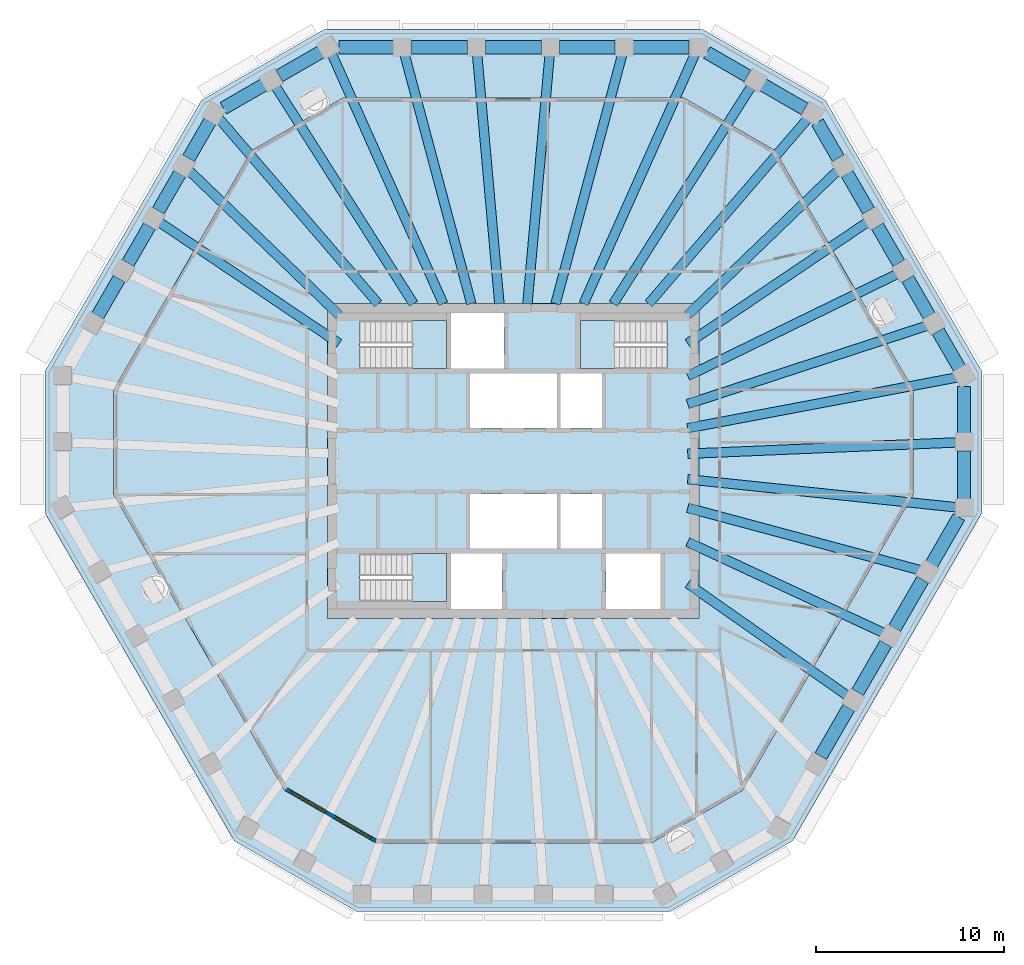
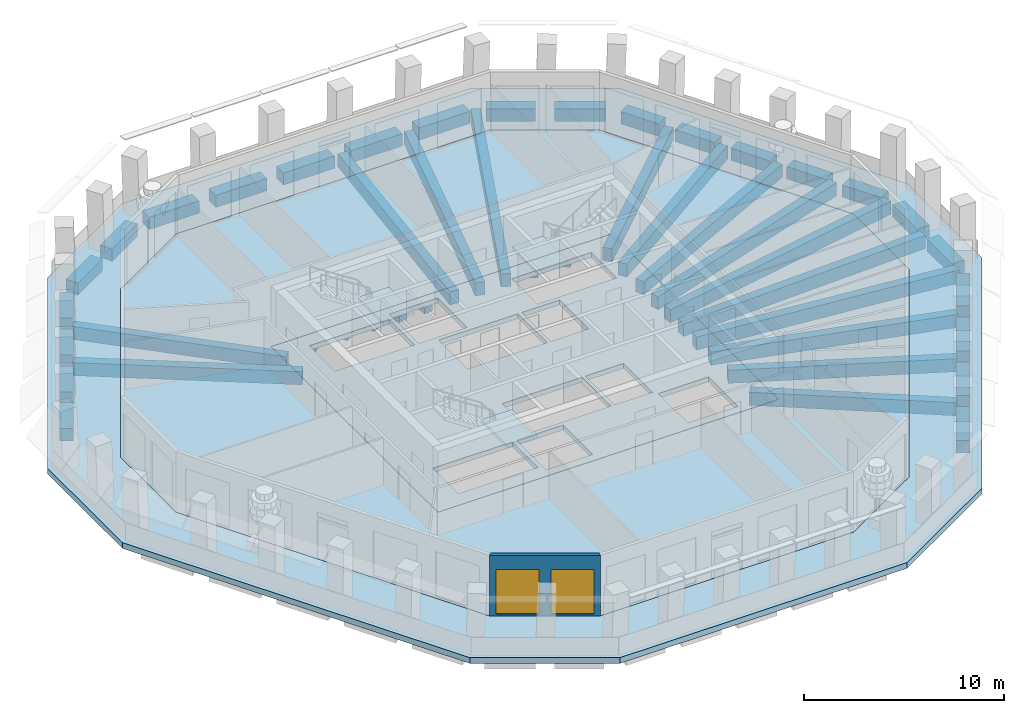
# One storey, part 2 of 11: 46 beams, 6 slabs, 2 windows, 1 wall, 2 openings, 3 elements without a shape of their own.
"""IFC4 building model written with IfcOpenShell, lengths in metres."""

from ifc_helpers import new_model, si_unit, direction, frame, frame_2d, origin, origin_2d, place, context, subcontext, project, spatial, polyline, rectangle, outline, extrude, material, layer, layer_set, material_profile, profile_set, type_object, element, fill, aggregate, save


model = new_model("IFC4")

# Units and contexts
model_context = context("Model", 3, precision=1e-05, world=origin(), true_north=direction((0.0, 1.0)))
body_context = subcontext(model_context, "Body", "Model", "MODEL_VIEW")
ifc_project = project(units=[si_unit("LENGTHUNIT", "METRE"), si_unit("AREAUNIT", "SQUARE_METRE"), si_unit("VOLUMEUNIT", "CUBIC_METRE"), si_unit("PLANEANGLEUNIT", "RADIAN"), si_unit("MASSUNIT", "GRAM", prefix="KILO")], contexts=[model_context])

# Site, building, storey
site_placement = place(None, origin())
site = spatial("IfcSite", under=ifc_project, at=site_placement, CompositionType="ELEMENT")
building_placement = place(site_placement, origin())
building = spatial("IfcBuilding", under=site, at=building_placement, Name="Frailejon Research Tower", CompositionType="ELEMENT")
storey_placement = place(building_placement, frame((0.0, 0.0, 295.0)))
storey = spatial("IfcBuildingStorey", under=building, at=storey_placement, Name="L65", CompositionType="ELEMENT", Elevation=295.0)

# Beams
ifc_material_1 = material(Name="Concrete C60/75", Category="concrete")
ifc_material_profile_1 = material_profile(ifc_material_1, rectangle(XDim=0.5, YDim=0.800048828125, at=origin_2d()), Name="Girder 500x800")
ifc_profile_set_1 = profile_set([ifc_material_profile_1], Name="Concrete C60/75")
beam_type_1 = type_object("IfcBeamType", Name="Girder 500x800", PredefinedType="BEAM", material=ifc_profile_set_1)
beam_1_placement = place(storey_placement, frame((23.57861328125, -2.46240234375, -0.699951171875), z_axis=(-0.994591380025, 0.10386523374, 0.0), x_axis=(-0.10386523374, -0.994591380025, 0.0)))
element("IfcBeam", 1, at=beam_1_placement, inside=storey, type_object=beam_type_1, Name="Girder 500x800", PredefinedType="BEAM", context=body_context, shape_type="SweptSolid", body=[
    extrude(rectangle(XDim=0.5, YDim=0.800048828125, at=origin_2d()), origin(), (0.0, 0.0, 1.0), 14.406494140625),
])
beam_2_placement = place(storey_placement, frame((23.579345703125, 0.991943359375, -0.699951171875), z_axis=(-0.999116383848, -0.042029174718, 0.0), x_axis=(0.042029174718, -0.999116383848, 0.0)))
element("IfcBeam", 2, at=beam_2_placement, inside=storey, type_object=beam_type_1, Name="Girder 500x800", PredefinedType="BEAM", context=body_context, shape_type="SweptSolid", body=[
    extrude(rectangle(XDim=0.5, YDim=0.800048828125, at=origin_2d()), origin(), (0.0, 0.0, 1.0), 14.342041015625),
])
beam_3_placement = place(storey_placement, frame((23.55712890625, 4.442138671875, -0.699951171875), z_axis=(-0.982682975682, -0.185294817264, 0.0), x_axis=(0.185294817264, -0.982682975682, 0.0)))
element("IfcBeam", 3, at=beam_3_placement, inside=storey, type_object=beam_type_1, Name="Girder 500x800", PredefinedType="BEAM", context=body_context, shape_type="SweptSolid", body=[
    extrude(rectangle(XDim=0.5, YDim=0.800048828125, at=origin_2d()), origin(), (0.0, 0.0, 1.0), 14.559326171875),
])
beam_4_placement = place(storey_placement, frame((21.975830078125, 7.19140625, -0.699951171875), z_axis=(-0.950408398304, -0.311004624458, 0.0), x_axis=(0.311004624458, -0.950408398304, 0.0)))
element("IfcBeam", 4, at=beam_4_placement, inside=storey, type_object=beam_type_1, Name="Girder 500x800", PredefinedType="BEAM", context=body_context, shape_type="SweptSolid", body=[
    extrude(rectangle(XDim=0.5, YDim=0.800048828125, at=origin_2d()), origin(), (0.0, 0.0, 1.0), 13.389892578125),
])
beam_5_placement = place(storey_placement, frame((20.391845703125, 9.94091796875, -0.699951171875), z_axis=(-0.898876695424, -0.438201650411, 0.0), x_axis=(0.438201650411, -0.898876695424, 0.0)))
element("IfcBeam", 5, at=beam_5_placement, inside=storey, type_object=beam_type_1, Name="Girder 500x800", PredefinedType="BEAM", context=body_context, shape_type="SweptSolid", body=[
    extrude(rectangle(XDim=0.5, YDim=0.800048828125, at=origin_2d()), origin(), (0.0, 0.0, 1.0), 12.395263671875),
])
beam_6_placement = place(storey_placement, frame((18.804931640625, 12.689453125, -0.699951171875), z_axis=(-0.828922083095, -0.559364085509, 0.0), x_axis=(0.559364085509, -0.828922083095, 0.0)))
element("IfcBeam", 6, at=beam_6_placement, inside=storey, type_object=beam_type_1, Name="Girder 500x800", PredefinedType="BEAM", context=body_context, shape_type="SweptSolid", body=[
    extrude(rectangle(XDim=0.5, YDim=0.800048828125, at=origin_2d()), origin(), (0.0, 0.0, 1.0), 11.52685546875),
])
beam_7_placement = place(storey_placement, frame((17.22119140625, 15.424560546875, -0.699951171875), z_axis=(-0.720383496733, -0.693575963853, 0.0), x_axis=(0.693575963853, -0.720383496733, 0.0)))
element("IfcBeam", 7, at=beam_7_placement, inside=storey, type_object=beam_type_1, Name="Girder 500x800", PredefinedType="BEAM", context=body_context, shape_type="SweptSolid", body=[
    extrude(rectangle(XDim=0.5, YDim=0.800048828125, at=origin_2d()), origin(), (0.0, 0.0, 1.0), 11.065185546875),
])
beam_8_placement = place(storey_placement, frame((15.638671875, 18.1953125, -0.699951171875), z_axis=(-0.651819137865, -0.758374453363, 0.0), x_axis=(0.758374453363, -0.651819137865, 0.0)))
element("IfcBeam", 8, at=beam_8_placement, inside=storey, type_object=beam_type_1, Name="Girder 500x800", PredefinedType="BEAM", context=body_context, shape_type="SweptSolid", body=[
    extrude(rectangle(XDim=0.5, YDim=0.800048828125, at=origin_2d()), origin(), (0.0, 0.0, 1.0), 12.98193359375),
])
beam_9_placement = place(storey_placement, frame((12.648681640625, 19.92431640625, -0.699951171875), z_axis=(-0.535966031968, -0.844239546916, 0.0), x_axis=(0.844239546916, -0.535966031968, 0.0)))
element("IfcBeam", 9, at=beam_9_placement, inside=storey, type_object=beam_type_1, Name="Girder 500x800", PredefinedType="BEAM", context=body_context, shape_type="SweptSolid", body=[
    extrude(rectangle(XDim=0.5, YDim=0.800048828125, at=origin_2d()), origin(), (0.0, 0.0, 1.0), 13.709716796875),
])
beam_10_placement = place(storey_placement, frame((9.639404296875, 21.612060546875, -0.699951171875), z_axis=(-0.407336146158, -0.913278305903, 0.0), x_axis=(0.913278305903, -0.407336146158, 0.0)))
element("IfcBeam", 10, at=beam_10_placement, inside=storey, type_object=beam_type_1, Name="Girder 500x800", PredefinedType="BEAM", context=body_context, shape_type="SweptSolid", body=[
    extrude(rectangle(XDim=0.5, YDim=0.800048828125, at=origin_2d()), origin(), (0.0, 0.0, 1.0), 14.521240234375),
])
beam_11_placement = place(storey_placement, frame((5.785888671875, 21.619873046875, -0.699951171875), z_axis=(-0.258523164906, -0.966005058582, 0.0), x_axis=(0.966005058582, -0.258523164906, 0.0)))
element("IfcBeam", 11, at=beam_11_placement, inside=storey, type_object=beam_type_1, Name="Girder 500x800", PredefinedType="BEAM", context=body_context, shape_type="SweptSolid", body=[
    extrude(rectangle(XDim=0.5, YDim=0.800048828125, at=origin_2d()), origin(), (0.0, 0.0, 1.0), 13.73681640625),
])
for number, where, z_axis, x_axis, name in (
    (12, (1.92919921875, 21.62451171875, -0.699951171875), (-0.08886573187, -0.996043614356, 0.0), (0.996043614356, -0.08886573187, 0.0), "Girder 500x800"),
    (13, (-1.92919921875, 21.62451171875, -0.699951171875), (0.08886573187, -0.996043614356, 0.0), (0.996043614356, 0.08886573187, 0.0), "Girder 500x800"),
):
    element("IfcBeam", number, at=place(storey_placement, frame(where, z_axis=z_axis, x_axis=x_axis)), inside=storey, type_object=beam_type_1, Name=name, PredefinedType="BEAM", context=body_context, shape_type="SweptSolid", body=[
        extrude(rectangle(XDim=0.5, YDim=0.800048828125, at=origin_2d()), origin(), (0.0, 0.0, 1.0), 13.3271484375),
    ])
beam_12_placement = place(storey_placement, frame((-5.785888671875, 21.619873046875, -0.699951171875), z_axis=(0.258523164906, -0.966005058582, 0.0), x_axis=(0.966005058582, 0.258523164906, 0.0)))
element("IfcBeam", 14, at=beam_12_placement, inside=storey, type_object=beam_type_1, Name="Girder 500x800", PredefinedType="BEAM", context=body_context, shape_type="SweptSolid", body=[
    extrude(rectangle(XDim=0.5, YDim=0.800048828125, at=origin_2d()), origin(), (0.0, 0.0, 1.0), 13.73681640625),
])
beam_13_placement = place(storey_placement, frame((-9.656982421875, 21.65087890625, -0.699951171875), z_axis=(0.407351296415, -0.913271548505, 0.0), x_axis=(0.913271548505, 0.407351296415, 0.0)))
element("IfcBeam", 15, at=beam_13_placement, inside=storey, type_object=beam_type_1, Name="Girder 500x800", PredefinedType="BEAM", context=body_context, shape_type="SweptSolid", body=[
    extrude(rectangle(XDim=0.5, YDim=0.800048828125, at=origin_2d()), origin(), (0.0, 0.0, 1.0), 14.56396484375),
])
beam_14_placement = place(storey_placement, frame((-12.648681640625, 19.92431640625, -0.699951171875), z_axis=(0.535966031968, -0.844239546916, 0.0), x_axis=(0.844239546916, 0.535966031968, 0.0)))
element("IfcBeam", 16, at=beam_14_placement, inside=storey, type_object=beam_type_1, Name="Girder 500x800", PredefinedType="BEAM", context=body_context, shape_type="SweptSolid", body=[
    extrude(rectangle(XDim=0.5, YDim=0.800048828125, at=origin_2d()), origin(), (0.0, 0.0, 1.0), 13.709716796875),
])
beam_15_placement = place(storey_placement, frame((-15.62548828125, 18.179931640625, -0.699951171875), z_axis=(0.651820743213, -0.758373073571, 0.0), x_axis=(0.758373073571, 0.651820743213, 0.0)))
element("IfcBeam", 17, at=beam_15_placement, inside=storey, type_object=beam_type_1, Name="Girder 500x800", PredefinedType="BEAM", context=body_context, shape_type="SweptSolid", body=[
    extrude(rectangle(XDim=0.5, YDim=0.800048828125, at=origin_2d()), origin(), (0.0, 0.0, 1.0), 12.961669921875),
])
beam_16_placement = place(storey_placement, frame((-17.22119140625, 15.424560546875, -0.699951171875), z_axis=(0.720383496733, -0.693575963853, 0.0), x_axis=(0.693575963853, 0.720383496733, 0.0)))
element("IfcBeam", 18, at=beam_16_placement, inside=storey, type_object=beam_type_1, Name="Girder 500x800", PredefinedType="BEAM", context=body_context, shape_type="SweptSolid", body=[
    extrude(rectangle(XDim=0.5, YDim=0.800048828125, at=origin_2d()), origin(), (0.0, 0.0, 1.0), 11.065185546875),
])
beam_17_placement = place(storey_placement, frame((-18.804931640625, 12.689453125, -0.699951171875), z_axis=(0.828922083095, -0.559364085509, 0.0), x_axis=(0.559364085509, 0.828922083095, 0.0)))
element("IfcBeam", 19, at=beam_17_placement, inside=storey, type_object=beam_type_1, Name="Girder 500x800", PredefinedType="BEAM", context=body_context, shape_type="SweptSolid", body=[
    extrude(rectangle(XDim=0.5, YDim=0.800048828125, at=origin_2d()), origin(), (0.0, 0.0, 1.0), 11.52685546875),
])
beam_18_placement = place(storey_placement, frame((17.7626953125, -12.48291015625, -0.699951171875), z_axis=(-0.81816782984, 0.574979479821, 0.0), x_axis=(-0.574979479821, -0.81816782984, 0.0)))
element("IfcBeam", 20, at=beam_18_placement, inside=storey, type_object=beam_type_1, Name="Girder 500x800", PredefinedType="BEAM", context=body_context, shape_type="SweptSolid", body=[
    extrude(rectangle(XDim=0.5, YDim=0.800048828125, at=origin_2d()), origin(), (0.0, 0.0, 1.0), 10.404541015625),
])
beam_19_placement = place(storey_placement, frame((19.69189453125, -9.1416015625, -0.699951171875), z_axis=(-0.907029216956, 0.421067690032, 0.0), x_axis=(-0.421067690032, -0.907029216956, 0.0)))
element("IfcBeam", 21, at=beam_19_placement, inside=storey, type_object=beam_type_1, Name="Girder 500x800", PredefinedType="BEAM", context=body_context, shape_type="SweptSolid", body=[
    extrude(rectangle(XDim=0.5, YDim=0.800048828125, at=origin_2d()), origin(), (0.0, 0.0, 1.0), 11.51220703125),
])
beam_20_placement = place(storey_placement, frame((21.616455078125, -5.79931640625, -0.699951171875), z_axis=(-0.965846794613, 0.259113815411, 0.0), x_axis=(-0.259113815411, -0.965846794613, 0.0)))
element("IfcBeam", 22, at=beam_20_placement, inside=storey, type_object=beam_type_1, Name="Girder 500x800", PredefinedType="BEAM", context=body_context, shape_type="SweptSolid", body=[
    extrude(rectangle(XDim=0.5, YDim=0.800048828125, at=origin_2d()), origin(), (0.0, 0.0, 1.0), 12.8037109375),
])
ifc_material_2 = material(Name="Concrete C60/75", Category="concrete")
ifc_material_profile_2 = material_profile(ifc_material_2, rectangle(XDim=0.699951171875, YDim=0.75, at=origin_2d()), Name="Spandrel 700x750")
ifc_profile_set_2 = profile_set([ifc_material_profile_2], Name="Concrete C60/75")
beam_type_2 = type_object("IfcBeamType", Name="Spandrel 700x750", PredefinedType="BEAM", material=ifc_profile_set_2)
beam_21_placement = place(storey_placement, frame((23.904296875, -2.021240234375, -0.72509765625), z_axis=(0.0, 1.0, 0.0), x_axis=(-1.0, 0.0, 0.0)))
element("IfcBeam", 23, at=beam_21_placement, inside=storey, type_object=beam_type_2, Name="Spandrel 700x750", PredefinedType="BEAM", context=body_context, shape_type="SweptSolid", body=[
    extrude(rectangle(XDim=0.699951171875, YDim=0.75, at=origin_2d()), origin(), (0.0, 0.0, 1.0), 2.5517578125),
])
beam_22_placement = place(storey_placement, frame((23.904296875, 1.480712890625, -0.72509765625), z_axis=(0.0, 1.0, 0.0), x_axis=(-1.0, 0.0, 0.0)))
element("IfcBeam", 24, at=beam_22_placement, inside=storey, type_object=beam_type_2, Name="Spandrel 700x750", PredefinedType="BEAM", context=body_context, shape_type="SweptSolid", body=[
    extrude(rectangle(XDim=0.699951171875, YDim=0.75, at=origin_2d()), origin(), (0.0, 0.0, 1.0), 2.478271484375),
])
beam_23_placement = place(storey_placement, frame((23.6669921875, 4.9189453125, -0.72509765625), z_axis=(-0.500026652407, 0.866010015463, 0.0), x_axis=(-0.866010015463, -0.500026652407, 0.0)))
element("IfcBeam", 25, at=beam_23_placement, inside=storey, type_object=beam_type_2, Name="Spandrel 700x750", PredefinedType="BEAM", context=body_context, shape_type="SweptSolid", body=[
    extrude(rectangle(XDim=0.699951171875, YDim=0.75, at=origin_2d()), origin(), (0.0, 0.0, 1.0), 2.26953125),
])
beam_24_placement = place(storey_placement, frame((22.05712890625, 7.70703125, -0.72509765625), z_axis=(-0.499945964601, 0.866056598889, 0.0), x_axis=(-0.866056598889, -0.499945964601, 0.0)))
element("IfcBeam", 26, at=beam_24_placement, inside=storey, type_object=beam_type_2, Name="Spandrel 700x750", PredefinedType="BEAM", context=body_context, shape_type="SweptSolid", body=[
    extrude(rectangle(XDim=0.699951171875, YDim=0.75, at=origin_2d()), origin(), (0.0, 0.0, 1.0), 2.269287109375),
])
for number, where, z_axis, x_axis, name in (
    (27, (20.447509765625, 10.4951171875, -0.72509765625), (-0.500026652407, 0.866010015463, 0.0), (-0.866010015463, -0.500026652407, 0.0), "Spandrel 700x750"),
    (28, (18.837890625, 13.283203125, -0.72509765625), (-0.500026652407, 0.866010015463, 0.0), (-0.866010015463, -0.500026652407, 0.0), "Spandrel 700x750"),
):
    element("IfcBeam", number, at=place(storey_placement, frame(where, z_axis=z_axis, x_axis=x_axis)), inside=storey, type_object=beam_type_2, Name=name, PredefinedType="BEAM", context=body_context, shape_type="SweptSolid", body=[
        extrude(rectangle(XDim=0.699951171875, YDim=0.75, at=origin_2d()), origin(), (0.0, 0.0, 1.0), 2.26953125),
    ])
beam_25_placement = place(storey_placement, frame((17.22802734375, 16.0712890625, -0.72509765625), z_axis=(-0.50000156382, 0.866024500911, 0.0), x_axis=(-0.866024500911, -0.50000156382, 0.0)))
element("IfcBeam", 29, at=beam_25_placement, inside=storey, type_object=beam_type_2, Name="Spandrel 700x750", PredefinedType="BEAM", context=body_context, shape_type="SweptSolid", body=[
    extrude(rectangle(XDim=0.699951171875, YDim=0.75, at=origin_2d()), origin(), (0.0, 0.0, 1.0), 2.19580078125),
])
beam_26_placement = place(storey_placement, frame((15.444580078125, 18.685546875, -0.72509765625), z_axis=(-0.866032638483, 0.499987468925, 0.0), x_axis=(-0.499987468925, -0.866032638483, 0.0)))
element("IfcBeam", 30, at=beam_26_placement, inside=storey, type_object=beam_type_2, Name="Spandrel 700x750", PredefinedType="BEAM", context=body_context, shape_type="SweptSolid", body=[
    extrude(rectangle(XDim=0.699951171875, YDim=0.75, at=origin_2d()), origin(), (0.0, 0.0, 1.0), 2.5517578125),
])
beam_27_placement = place(storey_placement, frame((12.41162109375, 20.4365234375, -0.72509765625), z_axis=(-0.866003486907, 0.500037959224, 0.0), x_axis=(-0.500037959224, -0.866003486907, 0.0)))
element("IfcBeam", 31, at=beam_27_placement, inside=storey, type_object=beam_type_2, Name="Spandrel 700x750", PredefinedType="BEAM", context=body_context, shape_type="SweptSolid", body=[
    extrude(rectangle(XDim=0.699951171875, YDim=0.75, at=origin_2d()), origin(), (0.0, 0.0, 1.0), 2.478271484375),
])
for number, where, z_axis, x_axis, name in (
    (32, (9.315185546875, 21.949951171875, -0.72509765625), (-1.0, 0.0, 0.0), (0.0, -1.0, 0.0), "Spandrel 700x750"),
    (33, (5.399169921875, 21.949951171875, -0.72509765625), (-1.0, 0.0, 0.0), (0.0, -1.0, 0.0), "Spandrel 700x750"),
):
    element("IfcBeam", number, at=place(storey_placement, frame(where, z_axis=z_axis, x_axis=x_axis)), inside=storey, type_object=beam_type_2, Name=name, PredefinedType="BEAM", context=body_context, shape_type="SweptSolid", body=[
        extrude(rectangle(XDim=0.699951171875, YDim=0.75, at=origin_2d()), origin(), (0.0, 0.0, 1.0), 2.966064453125),
    ])
beam_28_placement = place(storey_placement, frame((1.483154296875, 21.949951171875, -0.72509765625), z_axis=(-1.0, 0.0, 0.0), x_axis=(0.0, -1.0, 0.0)))
element("IfcBeam", 34, at=beam_28_placement, inside=storey, type_object=beam_type_2, Name="Spandrel 700x750", PredefinedType="BEAM", context=body_context, shape_type="SweptSolid", body=[
    extrude(rectangle(XDim=0.699951171875, YDim=0.75, at=origin_2d()), origin(), (0.0, 0.0, 1.0), 2.96630859375),
])
beam_29_placement = place(storey_placement, frame((-2.43310546875, 21.949951171875, -0.72509765625), z_axis=(-1.0, 0.0, 0.0), x_axis=(0.0, -1.0, 0.0)))
element("IfcBeam", 35, at=beam_29_placement, inside=storey, type_object=beam_type_2, Name="Spandrel 700x750", PredefinedType="BEAM", context=body_context, shape_type="SweptSolid", body=[
    extrude(rectangle(XDim=0.699951171875, YDim=0.75, at=origin_2d()), origin(), (0.0, 0.0, 1.0), 2.966064453125),
])
beam_30_placement = place(storey_placement, frame((-6.34912109375, 21.949951171875, -0.72509765625), z_axis=(-1.0, 0.0, 0.0), x_axis=(0.0, -1.0, 0.0)))
element("IfcBeam", 36, at=beam_30_placement, inside=storey, type_object=beam_type_2, Name="Spandrel 700x750", PredefinedType="BEAM", context=body_context, shape_type="SweptSolid", body=[
    extrude(rectangle(XDim=0.699951171875, YDim=0.75, at=origin_2d()), origin(), (0.0, 0.0, 1.0), 2.892578125),
])
beam_31_placement = place(storey_placement, frame((-10.20166015625, 21.71240234375, -0.72509765625), z_axis=(-0.866032638483, -0.499987468925, 0.0), x_axis=(0.499987468925, -0.866032638483, 0.0)))
element("IfcBeam", 37, at=beam_31_placement, inside=storey, type_object=beam_type_2, Name="Spandrel 700x750", PredefinedType="BEAM", context=body_context, shape_type="SweptSolid", body=[
    extrude(rectangle(XDim=0.699951171875, YDim=0.75, at=origin_2d()), origin(), (0.0, 0.0, 1.0), 2.5517578125),
])
beam_32_placement = place(storey_placement, frame((-13.234619140625, 19.96142578125, -0.72509765625), z_axis=(-0.866003486907, -0.500037959224, 0.0), x_axis=(0.500037959224, -0.866003486907, 0.0)))
element("IfcBeam", 38, at=beam_32_placement, inside=storey, type_object=beam_type_2, Name="Spandrel 700x750", PredefinedType="BEAM", context=body_context, shape_type="SweptSolid", body=[
    extrude(rectangle(XDim=0.699951171875, YDim=0.75, at=origin_2d()), origin(), (0.0, 0.0, 1.0), 2.478271484375),
])
beam_33_placement = place(storey_placement, frame((-16.093505859375, 18.03662109375, -0.72509765625), z_axis=(-0.499945964601, -0.866056598889, 0.0), x_axis=(0.866056598889, -0.499945964601, 0.0)))
element("IfcBeam", 39, at=beam_33_placement, inside=storey, type_object=beam_type_2, Name="Spandrel 700x750", PredefinedType="BEAM", context=body_context, shape_type="SweptSolid", body=[
    extrude(rectangle(XDim=0.699951171875, YDim=0.75, at=origin_2d()), origin(), (0.0, 0.0, 1.0), 2.269287109375),
])
for number, where, z_axis, x_axis, name in (
    (40, (-17.703125, 15.24853515625, -0.72509765625), (-0.500026652407, -0.866010015463, 0.0), (0.866010015463, -0.500026652407, 0.0), "Spandrel 700x750"),
    (41, (-19.312744140625, 12.46044921875, -0.72509765625), (-0.500026652407, -0.866010015463, 0.0), (0.866010015463, -0.500026652407, 0.0), "Spandrel 700x750"),
):
    element("IfcBeam", number, at=place(storey_placement, frame(where, z_axis=z_axis, x_axis=x_axis)), inside=storey, type_object=beam_type_2, Name=name, PredefinedType="BEAM", context=body_context, shape_type="SweptSolid", body=[
        extrude(rectangle(XDim=0.699951171875, YDim=0.75, at=origin_2d()), origin(), (0.0, 0.0, 1.0), 2.26953125),
    ])
beam_34_placement = place(storey_placement, frame((-20.922607421875, 9.67236328125, -0.72509765625), z_axis=(-0.499945964601, -0.866056598889, 0.0), x_axis=(0.866056598889, -0.499945964601, 0.0)))
element("IfcBeam", 42, at=beam_34_placement, inside=storey, type_object=beam_type_2, Name="Spandrel 700x750", PredefinedType="BEAM", context=body_context, shape_type="SweptSolid", body=[
    extrude(rectangle(XDim=0.699951171875, YDim=0.75, at=origin_2d()), origin(), (0.0, 0.0, 1.0), 2.269287109375),
])
for number, where, z_axis, x_axis, name in (
    (43, (16.309814453125, -15.65087890625, -0.72509765625), (0.499945703851, 0.866056749411, 0.0), (-0.866056749411, 0.499945703851, 0.0), "Spandrel 700x750"),
    (44, (18.267578125, -12.25927734375, -0.72509765625), (0.500043078269, 0.866000531106, 0.0), (-0.866000531106, 0.500043078269, 0.0), "Spandrel 700x750"),
    (45, (20.225830078125, -8.867919921875, -0.72509765625), (0.500043078269, 0.866000531106, 0.0), (-0.866000531106, 0.500043078269, 0.0), "Spandrel 700x750"),
):
    element("IfcBeam", number, at=place(storey_placement, frame(where, z_axis=z_axis, x_axis=x_axis)), inside=storey, type_object=beam_type_2, Name=name, PredefinedType="BEAM", context=body_context, shape_type="SweptSolid", body=[
        extrude(rectangle(XDim=0.699951171875, YDim=0.75, at=origin_2d()), origin(), (0.0, 0.0, 1.0), 2.966064453125),
    ])
beam_35_placement = place(storey_placement, frame((22.183837890625, -5.476318359375, -0.72509765625), z_axis=(0.499987902496, 0.866032388169, 0.0), x_axis=(-0.866032388169, 0.499987902496, 0.0)))
element("IfcBeam", 46, at=beam_35_placement, inside=storey, type_object=beam_type_2, Name="Spandrel 700x750", PredefinedType="BEAM", context=body_context, shape_type="SweptSolid", body=[
    extrude(rectangle(XDim=0.699951171875, YDim=0.75, at=origin_2d()), origin(), (0.0, 0.0, 1.0), 2.892578125),
])

# Slabs
ifc_material_3 = material(Name="Concrete C50/60", Category="concrete")
ifc_layer_1 = layer(ifc_material_3, 0.300048828125)
ifc_layer_set_1 = layer_set([ifc_layer_1], Name="Core floor slab 300 C50/60")
slab_type_1 = type_object("IfcSlabType", Name="Core floor slab 300 C50/60", PredefinedType="FLOOR", material=ifc_layer_set_1)
slab_1_placement = place(storey_placement, frame((0.0, 0.0, -0.300048828125)))
element("IfcSlab", 47, at=slab_1_placement, inside=storey, type_object=slab_type_1, Name="Core floor slab", PredefinedType="FLOOR", context=body_context, shape_type="SweptSolid", body=[
    extrude(outline(polyline([(9.85009765625, -8.35009765625), (9.85009765625, 8.35009765625), (-9.85009765625, 8.35009765625), (-9.85009765625, -8.35009765625), (9.85009765625, -8.35009765625)]), holes=[polyline([(2.300048828125, 1.75), (2.300048828125, 4.64990234375), (-2.300048828125, 4.64990234375), (-2.300048828125, 1.75), (2.300048828125, 1.75)]), polyline([(4.699951171875, 1.75), (4.699951171875, 4.64990234375), (2.5, 4.64990234375), (2.5, 1.75), (4.699951171875, 1.75)]), polyline([(2.300048828125, -4.64990234375), (2.300048828125, -1.75), (-2.300048828125, -1.75), (-2.300048828125, -4.64990234375), (2.300048828125, -4.64990234375)]), polyline([(4.699951171875, -4.64990234375), (4.699951171875, -1.75), (2.5, -1.75), (2.5, -4.64990234375), (4.699951171875, -4.64990234375)]), polyline([(-8.14697265625, 4.89990234375), (-3.550048828125, 4.89990234375), (-3.550048828125, 7.449951171875), (-8.14697265625, 7.449951171875), (-8.14697265625, 4.89990234375)]), polyline([(-8.14697265625, -7.449951171875), (-3.550048828125, -7.449951171875), (-3.550048828125, -4.89990234375), (-8.14697265625, -4.89990234375), (-8.14697265625, -7.449951171875)]), polyline([(8.14697265625, 7.449951171875), (3.550048828125, 7.449951171875), (3.550048828125, 4.89990234375), (8.14697265625, 4.89990234375), (8.14697265625, 7.449951171875)]), polyline([(-0.60009765625, -7.85009765625), (-0.60009765625, -4.89990234375), (-3.300048828125, -4.89990234375), (-3.300048828125, -7.85009765625), (-0.60009765625, -7.85009765625)]), polyline([(7.800048828125, -7.85009765625), (7.800048828125, -4.89990234375), (4.89990234375, -4.89990234375), (4.89990234375, -7.85009765625), (7.800048828125, -7.85009765625)]), polyline([(-0.5, 4.89990234375), (-0.5, 7.85009765625), (-3.300048828125, 7.85009765625), (-3.300048828125, 4.89990234375), (-0.5, 4.89990234375)])]), origin(), (0.0, 0.0, 1.0), 0.300048828125),
])
ifc_material_4 = material(Name="Concrete C40/50", Category="concrete")
ifc_layer_2 = layer(ifc_material_4, 0.35009765625)
ifc_layer_set_2 = layer_set([ifc_layer_2], Name="Loggia slab 350")
slab_type_2 = type_object("IfcSlabType", Name="Loggia slab 350", PredefinedType="USERDEFINED", material=ifc_layer_set_2)
slab_2_placement = place(storey_placement, frame((0.0, 0.0, -0.35009765625)))
element("IfcSlab", 48, at=slab_2_placement, inside=storey, type_object=slab_type_2, Name="Loggia slab L65", ObjectType="LOGGIA", PredefinedType="USERDEFINED", context=body_context, shape_type="SweptSolid", body=[
    extrude(outline(polyline([(14.8095703125, -20.149169921875), (8.302978515625, -23.905517578125), (-8.302978515625, -23.905517578125), (-14.8095703125, -20.149169921875), (-24.8544921875, -2.7509765625), (-24.8544921875, 4.76220703125), (-16.551513671875, 19.1435546875), (-10.044921875, 22.89990234375), (10.044921875, 22.89990234375), (16.551513671875, 19.1435546875), (24.8544921875, 4.76220703125), (24.8544921875, -2.7509765625), (14.8095703125, -20.149169921875)]), holes=[polyline([(21.204345703125, 3.7841796875), (13.87939453125, 16.471435546875), (9.06689453125, 19.25), (-9.06689453125, 19.25), (-13.87939453125, 16.471435546875), (-21.204345703125, 3.7841796875), (-21.204345703125, -1.77294921875), (-12.1376953125, -17.47705078125), (-7.3251953125, -20.255615234375), (7.3251953125, -20.255615234375), (12.1376953125, -17.47705078125), (21.204345703125, -1.77294921875), (21.204345703125, 3.7841796875)])]), origin(), (0.0, 0.0, 1.0), 0.35009765625),
])
ifc_material_5 = material(Name="Concrete C40/50", Category="concrete")
ifc_layer_3 = layer(ifc_material_5, 0.300048828125)
ifc_layer_set_3 = layer_set([ifc_layer_3], Name="Slab typical 300")
slab_type_3 = type_object("IfcSlabType", Name="Slab typical 300", PredefinedType="FLOOR", material=ifc_layer_set_3)
slab_3_placement = place(storey_placement, frame((0.0, 0.0, -0.300048828125)))
element("IfcSlab", 49, at=slab_3_placement, inside=storey, type_object=slab_type_3, Name="Floor slab L65", PredefinedType="FLOOR", context=body_context, shape_type="SweptSolid", body=[
    extrude(outline(polyline([(21.204345703125, -1.77294921875), (21.204345703125, 3.7841796875), (13.87939453125, 16.471435546875), (9.06689453125, 19.25), (-9.06689453125, 19.25), (-13.87939453125, 16.471435546875), (-21.204345703125, 3.7841796875), (-21.204345703125, -1.77294921875), (-12.1376953125, -17.47705078125), (-7.3251953125, -20.255615234375), (7.3251953125, -20.255615234375), (12.1376953125, -17.47705078125), (21.204345703125, -1.77294921875)]), holes=[polyline([(9.25, 8.35009765625), (9.85009765625, 8.35009765625), (9.85009765625, -8.35009765625), (9.25, -8.35009765625), (-9.25, -8.35009765625), (-9.85009765625, -8.35009765625), (-9.85009765625, 8.35009765625), (-9.25, 8.35009765625), (9.25, 8.35009765625)])]), origin(), (0.0, 0.0, 1.0), 0.300048828125),
])

# Stair, slab
ifc_material_6 = material(Name="Concrete C50/60", Category="concrete")
stair_type = type_object("IfcStairType", Name="Exit stair 22 risers", PredefinedType="HALF_TURN_STAIR", material=ifc_material_6)
stair_1_placement = place(storey_placement, origin())
stair_1 = element("IfcStair", 50, at=stair_1_placement, inside=storey, type_object=stair_type, Name="L65 Exit stair ST1", PredefinedType="HALF_TURN_STAIR")
ifc_material_7 = material(Name="Concrete C50/60", Category="concrete")
ifc_layer_4 = layer(ifc_material_7, 0.199951171875)
ifc_layer_set_4 = layer_set([ifc_layer_4], Name="Stair landing slab 200")
slab_type_4 = type_object("IfcSlabType", Name="Stair landing slab 200", PredefinedType="LANDING", material=ifc_layer_set_4)
slab_4_placement = place(storey_placement, frame((0.0, 0.0, 1.800048828125)))
slab_4 = element("IfcSlab", 51, at=slab_4_placement, type_object=slab_type_4, Name="ST1 landing 1", PredefinedType="LANDING", context=body_context, shape_type="SweptSolid", body=[
    extrude(outline(polyline([(-5.35009765625, 4.89990234375), (-3.550048828125, 4.89990234375), (-3.550048828125, 7.449951171875), (-5.35009765625, 7.449951171875), (-5.35009765625, 4.89990234375)])), origin(), (0.0, 0.0, 1.0), 0.199951171875),
])
aggregate(stair_1, [slab_4])

stair_2_placement = place(storey_placement, origin())
stair_2 = element("IfcStair", 52, at=stair_2_placement, inside=storey, type_object=stair_type, Name="L65 Exit stair ST2", PredefinedType="HALF_TURN_STAIR")
slab_5_placement = place(storey_placement, frame((0.0, 0.0, 1.800048828125)))
slab_5 = element("IfcSlab", 53, at=slab_5_placement, type_object=slab_type_4, Name="ST2 landing 1", PredefinedType="LANDING", context=body_context, shape_type="SweptSolid", body=[
    extrude(outline(polyline([(-5.35009765625, -7.449951171875), (-3.550048828125, -7.449951171875), (-3.550048828125, -4.89990234375), (-5.35009765625, -4.89990234375), (-5.35009765625, -7.449951171875)])), origin(), (0.0, 0.0, 1.0), 0.199951171875),
])
aggregate(stair_2, [slab_5])

stair_3_placement = place(storey_placement, origin())
stair_3 = element("IfcStair", 54, at=stair_3_placement, inside=storey, type_object=stair_type, Name="L65 Exit stair ST3", PredefinedType="HALF_TURN_STAIR")
slab_6_placement = place(storey_placement, frame((0.0, 0.0, 1.800048828125)))
slab_6 = element("IfcSlab", 55, at=slab_6_placement, type_object=slab_type_4, Name="ST3 landing 1", PredefinedType="LANDING", context=body_context, shape_type="SweptSolid", body=[
    extrude(outline(polyline([(5.35009765625, 7.449951171875), (3.550048828125, 7.449951171875), (3.550048828125, 4.89990234375), (5.35009765625, 4.89990234375), (5.35009765625, 7.449951171875)])), origin(), (0.0, 0.0, 1.0), 0.199951171875),
])
aggregate(stair_3, [slab_6])

# Wall, openings, windows
ifc_material_8 = material(Name="Concrete C40/50 precast window wall panel", Category="concrete")
ifc_layer_5 = layer(ifc_material_8, 0.199951171875)
ifc_layer_set_5 = layer_set([ifc_layer_5], Name="Window wall 200")
wall_type = type_object("IfcWallType", Name="Window wall 200", PredefinedType="SOLIDWALL", material=ifc_layer_set_5)
wall_placement = place(storey_placement, frame((-12.064208984375, -17.40380859375, 0.0), z_axis=(0.0, 0.0, 1.0), x_axis=(0.866014926636, -0.500018146515, 0.0)))
wall = element("IfcWall", 56, at=wall_placement, inside=storey, type_object=wall_type, Name="Exterior wall L65", PredefinedType="SOLIDWALL", context=body_context, shape_type="SweptSolid", body=[
    extrude(outline(polyline([(-0.02685546875, -0.10009765625), (1.08447265625, -0.10009765625), (2.19580078125, -0.10009765625), (3.307373046875, -0.10009765625), (4.418701171875, -0.10009765625), (5.530029296875, -0.10009765625), (5.476318359375, 0.10009765625), (4.386474609375, 0.10009765625), (3.296630859375, 0.10009765625), (2.20654296875, 0.10009765625), (1.11669921875, 0.10009765625), (0.02685546875, 0.10009765625), (-0.02685546875, -0.10009765625)])), origin(), (0.0, 0.0, 1.0), 3.699951171875),
])
opening_1_placement = place(wall_placement, frame((0.30078125, 0.0, 0.10009765625)))
opening_1 = element("IfcOpeningElement", 57, at=opening_1_placement, cuts=wall, Name="Opening W22", PredefinedType="OPENING", context=body_context, shape_type="SweptSolid", body=[
    extrude(rectangle(XDim=2.14990234375, YDim=2.75, at=frame_2d((1.074951171875, 1.375))), frame((0.0, 0.10986328125, 0.0), z_axis=(0.0, -1.0, 0.0), x_axis=(1.0, 0.0, 0.0)), (0.0, 0.0, 1.0), 0.219970703125),
])
opening_2_placement = place(wall_placement, frame((3.052490234375, 0.0, 0.10009765625)))
opening_2 = element("IfcOpeningElement", 58, at=opening_2_placement, cuts=wall, Name="Opening W22", PredefinedType="OPENING", context=body_context, shape_type="SweptSolid", body=[
    extrude(rectangle(XDim=2.14990234375, YDim=2.75, at=frame_2d((1.074951171875, 1.375))), frame((0.0, 0.10986328125, 0.0), z_axis=(0.0, -1.0, 0.0), x_axis=(1.0, 0.0, 0.0)), (0.0, 0.0, 1.0), 0.219970703125),
])
ifc_material_9 = material(Name="Aluminium framed double glazing", Category="aluminium")
window_type = type_object("IfcWindowType", Name="Window 2150x2750", PartitioningType="SINGLE_PANEL", PredefinedType="WINDOW", material=ifc_material_9)
window_1_placement = place(opening_1_placement, origin())
window_1 = element("IfcWindow", 59, at=window_1_placement, inside=storey, type_object=window_type, Name="Window L65", OverallHeight=2.75, OverallWidth=2.14990234375, PartitioningType="SINGLE_PANEL", PredefinedType="WINDOW", context=body_context, shape_type="SweptSolid", body=[
    extrude(rectangle(XDim=2.14990234375, YDim=2.75, at=frame_2d((1.074951171875, 1.375))), frame((0.0, 0.030029296875, 0.0), z_axis=(0.0, -1.0, 0.0), x_axis=(1.0, 0.0, 0.0)), (0.0, 0.0, 1.0), 0.06005859375),
])
fill(opening_1, window_1)
window_2_placement = place(opening_2_placement, origin())
window_2 = element("IfcWindow", 60, at=window_2_placement, inside=storey, type_object=window_type, Name="Window L65", OverallHeight=2.75, OverallWidth=2.14990234375, PartitioningType="SINGLE_PANEL", PredefinedType="WINDOW", context=body_context, shape_type="SweptSolid", body=[
    extrude(rectangle(XDim=2.14990234375, YDim=2.75, at=frame_2d((1.074951171875, 1.375))), frame((0.0, 0.030029296875, 0.0), z_axis=(0.0, -1.0, 0.0), x_axis=(1.0, 0.0, 0.0)), (0.0, 0.0, 1.0), 0.06005859375),
])
fill(opening_2, window_2)

save(model, "model.ifc")
